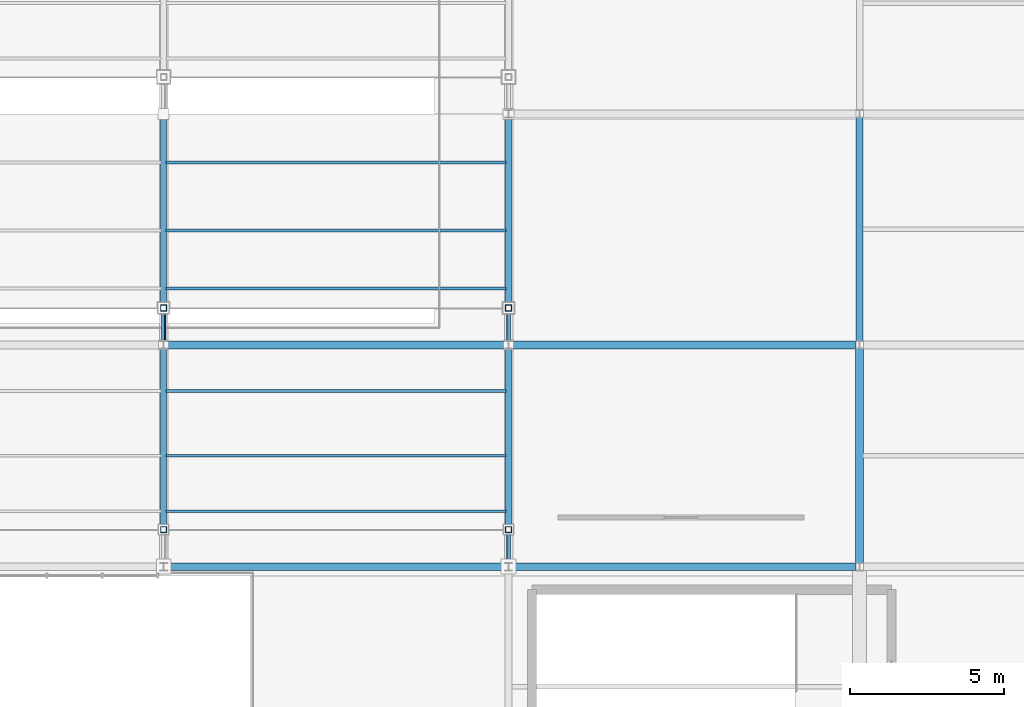
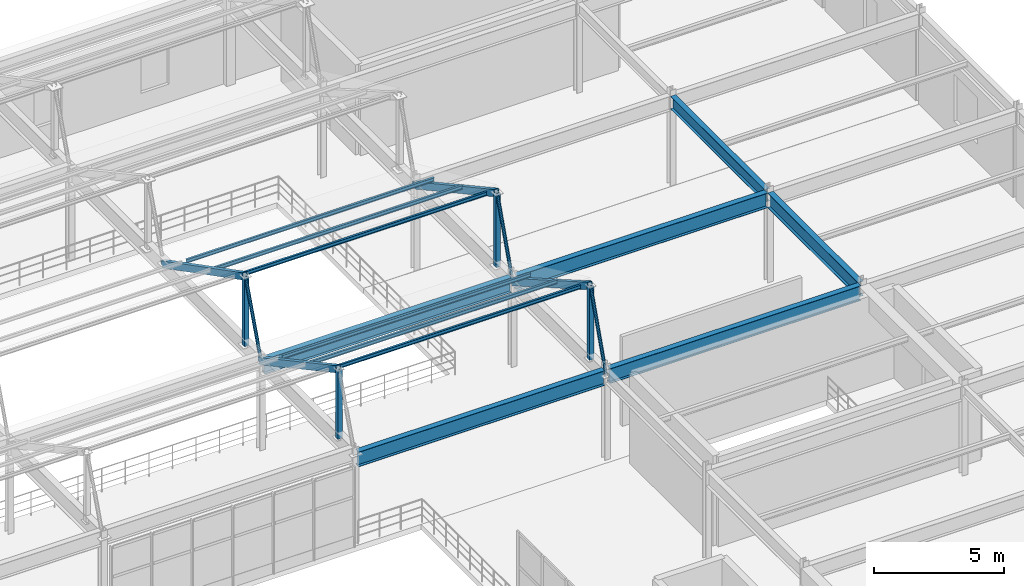
# One storey, part 65 of 112: 17 members, 6 beams.
"""IFC4 building model written with IfcOpenShell, lengths in metres."""

from ifc_helpers import new_model, si_unit, direction, frame, origin, origin_2d, place, context, subcontext, project, spatial, hollow_rectangle, hollow_circle, i_section, extrude, material, material_profile, profile_set, type_object, element, save


model = new_model("IFC4")

# Units and contexts
model_context = context("Model", 3, precision=1e-05, world=origin(), true_north=direction((0.0, 1.0)))
body_context = subcontext(model_context, "Body", "Model", "MODEL_VIEW")
ifc_project = project(units=[si_unit("LENGTHUNIT", "METRE"), si_unit("AREAUNIT", "SQUARE_METRE"), si_unit("VOLUMEUNIT", "CUBIC_METRE"), si_unit("PLANEANGLEUNIT", "RADIAN"), si_unit("MASSUNIT", "GRAM", prefix="KILO")], contexts=[model_context])

# Site, building, storey
site_placement = place(None, origin())
site = spatial("IfcSite", under=ifc_project, at=site_placement, CompositionType="ELEMENT")
building_placement = place(site_placement, origin())
building = spatial("IfcBuilding", under=site, at=building_placement, Name="Cinderbank Siding Concert Hall", CompositionType="ELEMENT")
storey_placement = place(building_placement, frame((0.0, 0.0, 10.199951171875)))
storey = spatial("IfcBuildingStorey", under=building, at=storey_placement, Name="L03", CompositionType="ELEMENT", Elevation=10.199951171875)

# Beams
ifc_material_1 = material(Name="Structural steel AS/NZS 3679.1 Grade 350 (340 MPa)", Category="steel")
ifc_material_profile_1 = material_profile(ifc_material_1, i_section(OverallWidth=0.22802734375, OverallDepth=0.602294921875, WebThickness=0.010498046875, FlangeThickness=0.014892578125, at=origin_2d()), Name="610UB101", Category="LoadBearing")
ifc_profile_set_1 = profile_set([ifc_material_profile_1], Name="Structural steel AS/NZS 3679.1 Grade 350 (340 MPa)")
beam_type_1 = type_object("IfcBeamType", Name="BM-UB610 610UB101", PredefinedType="BEAM", material=ifc_profile_set_1)
beam_1_placement = place(storey_placement, frame((161.800048828125, 95.919921875, 3.930908203125), z_axis=(0.0, 1.0, 0.0), x_axis=(-1.0, 0.0, 0.0)))
element("IfcBeam", 1, at=beam_1_placement, inside=storey, type_object=beam_type_1, Name="L03 Beam BM-UB610 #1750", PredefinedType="BEAM", context=body_context, shape_type="SweptSolid", body=[
    extrude(i_section(OverallWidth=0.22802734375, OverallDepth=0.602294921875, WebThickness=0.010498046875, FlangeThickness=0.014892578125, at=origin_2d()), origin(), (0.0, 0.0, 1.0), 7.260009765625),
])
ifc_material_2 = material(Name="Structural steel welded plate section AS/NZS 3679.2 / AS/NZS 3678 Grade 350 (340 MPa)", Category="steel")
ifc_material_profile_2 = material_profile(ifc_material_2, i_section(OverallWidth=0.25, OverallDepth=0.699951171875, WebThickness=0.010009765625, FlangeThickness=0.01611328125, at=origin_2d()), Name="700WB130", Category="LoadBearing")
ifc_profile_set_2 = profile_set([ifc_material_profile_2], Name="Structural steel welded plate section AS/NZS 3679.2 / AS/NZS 3678 Grade 350 (340 MPa)")
beam_type_2 = type_object("IfcBeamType", Name="BM-WB700 700WB130", PredefinedType="BEAM", material=ifc_profile_set_2)
for number, where, z_axis, x_axis, name in (
    (2, (139.320068359375, 88.60009765625, 3.882080078125), (1.0, 0.0, 0.0), (0.0, 1.0, 0.0), "L03 Beam BM-WB700 #1738"),
    (3, (139.320068359375, 95.800048828125, 3.882080078125), (1.0, 0.0, 0.0), (0.0, 1.0, 0.0), "L03 Beam BM-WB700 #1739"),
):
    element("IfcBeam", number, at=place(storey_placement, frame(where, z_axis=z_axis, x_axis=x_axis)), inside=storey, type_object=beam_type_2, Name=name, PredefinedType="BEAM", context=body_context, shape_type="SweptSolid", body=[
        extrude(i_section(OverallWidth=0.25, OverallDepth=0.699951171875, WebThickness=0.010009765625, FlangeThickness=0.01611328125, at=origin_2d()), origin(), (0.0, 0.0, 1.0), 10.9599609375),
    ])
for number, where, z_axis, x_axis, name in (
    (4, (150.52001953125, 88.60009765625, 3.882080078125), (1.0, 0.0, 0.0), (0.0, 1.0, 0.0), "L03 Beam BM-WB700 #1742"),
    (5, (150.52001953125, 95.800048828125, 3.882080078125), (1.0, 0.0, 0.0), (0.0, 1.0, 0.0), "L03 Beam BM-WB700 #1743"),
):
    element("IfcBeam", number, at=place(storey_placement, frame(where, z_axis=z_axis, x_axis=x_axis)), inside=storey, type_object=beam_type_2, Name=name, PredefinedType="BEAM", context=body_context, shape_type="SweptSolid", body=[
        extrude(i_section(OverallWidth=0.25, OverallDepth=0.699951171875, WebThickness=0.010009765625, FlangeThickness=0.01611328125, at=origin_2d()), origin(), (0.0, 0.0, 1.0), 11.159912109375),
    ])
beam_2_placement = place(storey_placement, frame((161.800048828125, 88.719970703125, 3.882080078125), z_axis=(0.0, 1.0, 0.0), x_axis=(-1.0, 0.0, 0.0)))
element("IfcBeam", 6, at=beam_2_placement, inside=storey, type_object=beam_type_2, Name="L03 Beam BM-WB700 #1748", PredefinedType="BEAM", context=body_context, shape_type="SweptSolid", body=[
    extrude(i_section(OverallWidth=0.25, OverallDepth=0.699951171875, WebThickness=0.010009765625, FlangeThickness=0.01611328125, at=origin_2d()), origin(), (0.0, 0.0, 1.0), 6.9599609375),
])

# Members
ifc_material_3 = material(Name="Structural steel hollow section AS/NZS 1163 Grade C350L0 (350 MPa)", Category="steel")
ifc_material_profile_3 = material_profile(ifc_material_3, hollow_circle(Radius=0.06982421875, WallThickness=0.00634765625, at=origin_2d()), Name="139.7x6.4CHS", Category="LoadBearing")
ifc_profile_set_3 = profile_set([ifc_material_profile_3], Name="Structural steel hollow section AS/NZS 1163 Grade C350L0 (350 MPa)")
member_type_1 = type_object("IfcMemberType", Name="BR-CHS139 139.7x6.4CHS Roof Truss", PredefinedType="BRACE", material=ifc_profile_set_3)
member_1_placement = place(storey_placement, frame((139.199951171875, 95.800048828125, 4.150146484375), z_axis=(0.0, 0.346361679598, 0.938101053675), x_axis=(-1.0, 0.0, 0.0)))
element("IfcMember", 7, at=member_1_placement, inside=storey, type_object=member_type_1, Name="L03 Diagonal Brace BR-CHS139 #V3DG-BR-CHS139-L03-2467", PredefinedType="BRACE", context=body_context, shape_type="SweptSolid", body=[
    extrude(hollow_circle(Radius=0.06982421875, WallThickness=0.00634765625, at=origin_2d()), origin(), (0.0, 0.0, 1.0), 3.46435546875),
])
for number, where, z_axis, x_axis, name in (
    (8, (150.39990234375, 88.60009765625, 3.949951171875), (0.0, 0.328492110194, 0.944506714397), (-1.0, 0.0, 0.0), "L03 Diagonal Brace BR-CHS139 #V3DG-BR-CHS139-L03-2476"),
    (9, (150.39990234375, 95.800048828125, 3.949951171875), (0.0, 0.328492110194, 0.944506714397), (-1.0, 0.0, 0.0), "L03 Diagonal Brace BR-CHS139 #V3DG-BR-CHS139-L03-2479"),
):
    element("IfcMember", number, at=place(storey_placement, frame(where, z_axis=z_axis, x_axis=x_axis)), inside=storey, type_object=member_type_1, Name=name, PredefinedType="BRACE", context=body_context, shape_type="SweptSolid", body=[
        extrude(hollow_circle(Radius=0.06982421875, WallThickness=0.00634765625, at=origin_2d()), origin(), (0.0, 0.0, 1.0), 3.65283203125),
    ])
ifc_material_profile_4 = material_profile(ifc_material_3, hollow_rectangle(XDim=0.199951171875, YDim=0.199951171875, WallThickness=0.009033203125, at=origin_2d()), Name="200x200x9.0SHS", Category="LoadBearing")
ifc_profile_set_4 = profile_set([ifc_material_profile_4], Name="Structural steel hollow section AS/NZS 1163 Grade C350L0 (350 MPa)")
member_type_2 = type_object("IfcMemberType", Name="BR-SHS200 200x200x9.0SHS Roof Truss", PredefinedType="BRACE", material=ifc_profile_set_4)
for number, where, z_axis, x_axis, name in (
    (10, (139.199951171875, 89.800048828125, 4.150146484375), (0.0, 0.0, 1.0), (1.0, 0.0, 0.0), "L03 Diagonal Brace BR-SHS200 #V3ST-BR-SHS200-L03-2463"),
    (11, (139.199951171875, 97.0, 4.150146484375), (0.0, 0.0, 1.0), (1.0, 0.0, 0.0), "L03 Diagonal Brace BR-SHS200 #V3ST-BR-SHS200-L03-2466"),
):
    element("IfcMember", number, at=place(storey_placement, frame(where, z_axis=z_axis, x_axis=x_axis)), inside=storey, type_object=member_type_2, Name=name, PredefinedType="BRACE", context=body_context, shape_type="SweptSolid", body=[
        extrude(hollow_rectangle(XDim=0.199951171875, YDim=0.199951171875, WallThickness=0.009033203125, at=origin_2d()), origin(), (0.0, 0.0, 1.0), 3.25),
    ])
for number, where, z_axis, x_axis, name in (
    (12, (150.39990234375, 89.800048828125, 3.949951171875), (0.0, 0.0, 1.0), (1.0, 0.0, 0.0), "L03 Diagonal Brace BR-SHS200 #V3ST-BR-SHS200-L03-2475"),
    (13, (150.39990234375, 97.0, 3.949951171875), (0.0, 0.0, 1.0), (1.0, 0.0, 0.0), "L03 Diagonal Brace BR-SHS200 #V3ST-BR-SHS200-L03-2478"),
):
    element("IfcMember", number, at=place(storey_placement, frame(where, z_axis=z_axis, x_axis=x_axis)), inside=storey, type_object=member_type_2, Name=name, PredefinedType="BRACE", context=body_context, shape_type="SweptSolid", body=[
        extrude(hollow_rectangle(XDim=0.199951171875, YDim=0.199951171875, WallThickness=0.009033203125, at=origin_2d()), origin(), (0.0, 0.0, 1.0), 3.4501953125),
    ])
ifc_material_profile_5 = material_profile(ifc_material_1, i_section(OverallWidth=0.090087890625, OverallDepth=0.175048828125, WebThickness=0.0048828125, FlangeThickness=0.008056640625, at=origin_2d()), Name="180UB18.1", Category="LoadBearing")
ifc_profile_set_5 = profile_set([ifc_material_profile_5], Name="Structural steel AS/NZS 3679.1 Grade 350 (340 MPa)")
member_type_3 = type_object("IfcMemberType", Name="PR-UB180 180UB18.1 Roof Truss", PredefinedType="PURLIN", material=ifc_profile_set_5)
for number, where, z_axis, x_axis, name in (
    (14, (139.280029296875, 94.300048828125, 5.199951171875), (1.0, 0.0, 0.0), (0.0, 1.0, 0.0), "L03 Roof Truss Member PR-UB180 #2510"),
    (15, (139.280029296875, 92.199951171875, 6.179931640625), (1.0, 0.0, 0.0), (0.0, 1.0, 0.0), "L03 Roof Truss Member PR-UB180 #2511"),
    (16, (139.280029296875, 90.39990234375, 7.02001953125), (1.0, 0.0, 0.0), (0.0, 1.0, 0.0), "L03 Roof Truss Member PR-UB180 #2512"),
    (17, (139.280029296875, 101.72509765625, 5.199951171875), (1.0, 0.0, 0.0), (0.0, 1.0, 0.0), "L03 Roof Truss Member PR-UB180 #2513"),
    (18, (139.280029296875, 99.52001953125, 6.179931640625), (1.0, 0.0, 0.0), (0.0, 1.0, 0.0), "L03 Roof Truss Member PR-UB180 #2514"),
    (19, (139.280029296875, 97.6298828125, 7.02001953125), (1.0, 0.0, 0.0), (0.0, 1.0, 0.0), "L03 Roof Truss Member PR-UB180 #2515"),
):
    element("IfcMember", number, at=place(storey_placement, frame(where, z_axis=z_axis, x_axis=x_axis)), inside=storey, type_object=member_type_3, Name=name, PredefinedType="PURLIN", context=body_context, shape_type="SweptSolid", body=[
        extrude(i_section(OverallWidth=0.090087890625, OverallDepth=0.175048828125, WebThickness=0.0048828125, FlangeThickness=0.008056640625, at=origin_2d()), origin(), (0.0, 0.0, 1.0), 11.0400390625),
    ])
ifc_material_profile_6 = material_profile(ifc_material_3, hollow_rectangle(XDim=0.199951171875, YDim=0.300048828125, WallThickness=0.010009765625, at=origin_2d()), Name="300x200x10.0RHS", Category="LoadBearing")
ifc_profile_set_6 = profile_set([ifc_material_profile_6], Name="Structural steel hollow section AS/NZS 1163 Grade C350L0 (350 MPa)")
member_type_4 = type_object("IfcMemberType", Name="TR-RHS300 300x200x10.0RHS Roof Truss", PredefinedType="RAFTER", material=ifc_profile_set_6)
member_2_placement = place(storey_placement, frame((139.199951171875, 95.800048828125, 4.150146484375), z_axis=(0.0, -0.879291966537, 0.476283148541), x_axis=(1.0, 0.0, 0.0)))
element("IfcMember", 20, at=member_2_placement, inside=storey, type_object=member_type_4, Name="L03 Roof Truss Member TR-RHS300 #2462", PredefinedType="RAFTER", context=body_context, shape_type="SweptSolid", body=[
    extrude(hollow_rectangle(XDim=0.199951171875, YDim=0.300048828125, WallThickness=0.010009765625, at=origin_2d()), origin(), (0.0, 0.0, 1.0), 6.82373046875),
])
member_3_placement = place(storey_placement, frame((139.199951171875, 103.300048828125, 4.150146484375), z_axis=(0.0, -0.888714816718, 0.458460439456), x_axis=(1.0, 0.0, 0.0)))
element("IfcMember", 21, at=member_3_placement, inside=storey, type_object=member_type_4, Name="L03 Roof Truss Member TR-RHS300 #2465", PredefinedType="RAFTER", context=body_context, shape_type="SweptSolid", body=[
    extrude(hollow_rectangle(XDim=0.199951171875, YDim=0.300048828125, WallThickness=0.010009765625, at=origin_2d()), origin(), (0.0, 0.0, 1.0), 7.0888671875),
])
member_4_placement = place(storey_placement, frame((150.39990234375, 95.800048828125, 3.949951171875), z_axis=(0.0, -0.866894108494, 0.498492331594), x_axis=(1.0, 0.0, 0.0)))
element("IfcMember", 22, at=member_4_placement, inside=storey, type_object=member_type_4, Name="L03 Roof Truss Member TR-RHS300 #2474", PredefinedType="RAFTER", context=body_context, shape_type="SweptSolid", body=[
    extrude(hollow_rectangle(XDim=0.199951171875, YDim=0.300048828125, WallThickness=0.010009765625, at=origin_2d()), origin(), (0.0, 0.0, 1.0), 6.921142578125),
])
member_5_placement = place(storey_placement, frame((150.39990234375, 103.300048828125, 3.949951171875), z_axis=(0.0, -0.877086380752, 0.480332677109), x_axis=(1.0, 0.0, 0.0)))
element("IfcMember", 23, at=member_5_placement, inside=storey, type_object=member_type_4, Name="L03 Roof Truss Member TR-RHS300 #2477", PredefinedType="RAFTER", context=body_context, shape_type="SweptSolid", body=[
    extrude(hollow_rectangle(XDim=0.199951171875, YDim=0.300048828125, WallThickness=0.010009765625, at=origin_2d()), origin(), (0.0, 0.0, 1.0), 7.182861328125),
])

save(model, "model.ifc")
